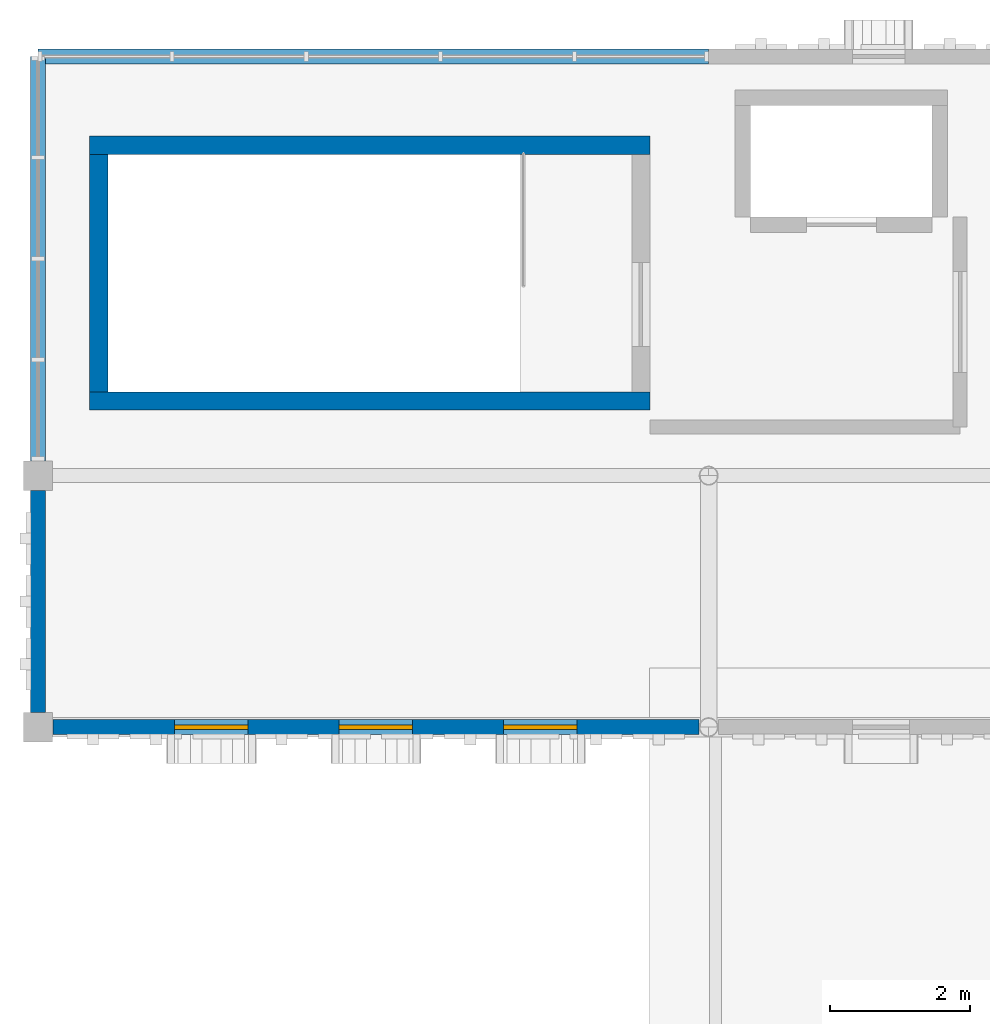
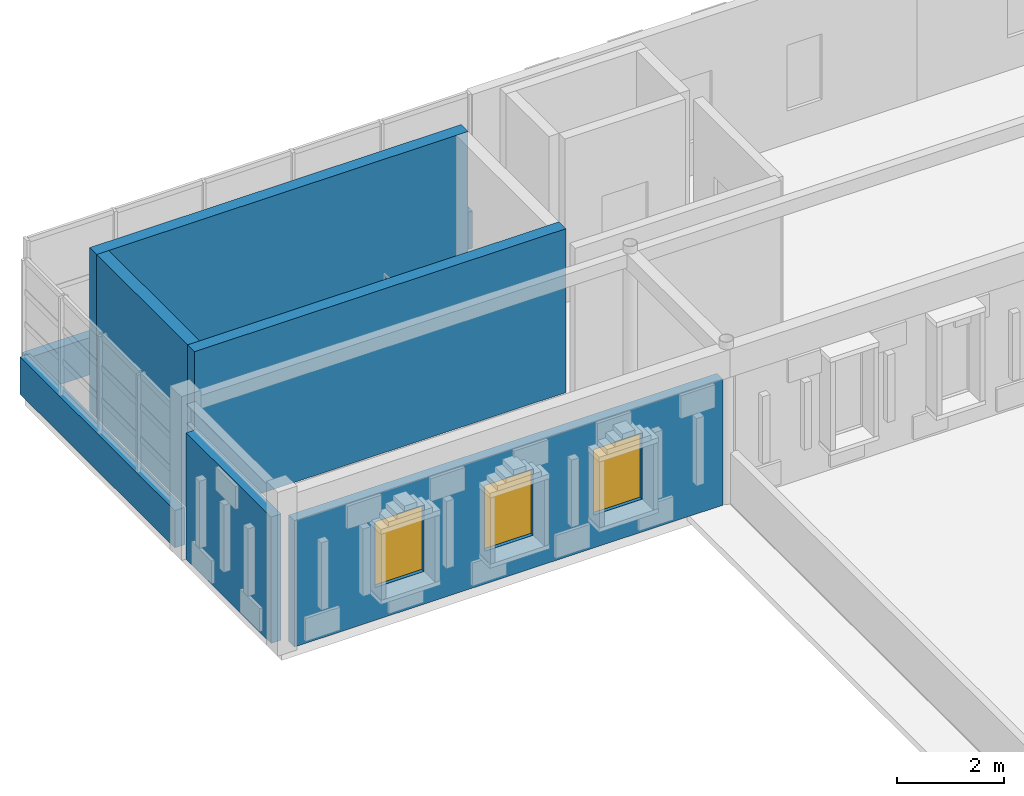
# One storey, part 15 of 25: 7 walls, 3 windows, 3 openings.
"""IFC4 building model written with IfcOpenShell, lengths in metres."""

import ifcopenshell
import ifcopenshell.guid

model = None  # the IFC model being written
_history = None  # IfcOwnerHistory: only IFC2X3 demands one
_inside = {}  # id of a spatial element -> (the spatial element, [elements in it])
_under = {}  # id of a project, library or spatial element -> (it, [spatial elements below it])
_declared = {}  # id of a project -> (the project, [libraries it declares])
_typed = {}  # id of a type object -> (the type object, [elements of that type])
_made_of = {}  # id of a material, layer set ... -> (it, [elements and type objects made of it])


def new_model(schema):
    """Start an empty IFC model of exactly this schema.

    Asked for "IFC4X3", IfcOpenShell would pick the latest addendum, in which some entities
    have other attributes; the version numbers below select the first issue.
    IFC2X3 requires an IfcOwnerHistory on every rooted entity: one is made here for all.
    """
    global model, _history
    if schema == "IFC4X3":
        model = ifcopenshell.file(schema_version=(4, 3, 0, 0))
    else:
        model = ifcopenshell.file(schema=schema)
    _inside.clear()
    _under.clear()
    _declared.clear()
    _typed.clear()
    _made_of.clear()
    _history = None
    if model.schema == "IFC2X3":
        org = make("IfcOrganization", Name="unknown")
        user = make(
            "IfcPersonAndOrganization",
            ThePerson=make("IfcPerson", FamilyName="unknown"),
            TheOrganization=org,
        )
        app = make(
            "IfcApplication",
            ApplicationDeveloper=org,
            Version="unknown",
            ApplicationFullName="unknown",
            ApplicationIdentifier="unknown",
        )
        _history = make(
            "IfcOwnerHistory",
            OwningUser=user,
            OwningApplication=app,
            ChangeAction="ADDED",
            CreationDate=0,
        )
    return model


def make(cls, **values):
    """One entity of the class cls with the attributes given. An attribute that is None is left unset."""
    return model.create_entity(
        cls, **{name: value for name, value in values.items() if value is not None}
    )


def rooted(cls, **values):
    """An entity with a GlobalId (a new one), such as an element, a storey or a relation."""
    return make(cls, GlobalId=ifcopenshell.guid.new(), OwnerHistory=_history, **values)


def si_unit(unit_type, name, prefix=None):
    """IfcSIUnit, for example si_unit("LENGTHUNIT", "METRE", prefix="MILLI")."""
    return make("IfcSIUnit", UnitType=unit_type, Prefix=prefix, Name=name)


def assignment(units):
    """IfcUnitAssignment: the units of a project."""
    return None if units is None else make("IfcUnitAssignment", Units=units)


def point(xyz):
    """IfcCartesianPoint."""
    return None if xyz is None else make("IfcCartesianPoint", Coordinates=xyz)


def direction(xyz):
    """IfcDirection."""
    return None if xyz is None else make("IfcDirection", DirectionRatios=xyz)


def frame(location, z_axis=None, x_axis=None):
    """IfcAxis2Placement3D, a coordinate frame: its origin and axes. An axis left out is left unset."""
    return make(
        "IfcAxis2Placement3D",
        Location=point(location),
        Axis=direction(z_axis),
        RefDirection=direction(x_axis),
    )


def frame_2d(location, x_axis=None):
    """IfcAxis2Placement2D, a coordinate frame in the plane: its origin and x axis."""
    return make(
        "IfcAxis2Placement2D", Location=point(location), RefDirection=direction(x_axis)
    )


def origin():
    """The frame at (0, 0, 0) with its axes left unset."""
    return frame((0.0, 0.0, 0.0))


def place(relative_to, where):
    """IfcLocalPlacement: puts the frame where relative to a parent placement (None: the world)."""
    return make(
        "IfcLocalPlacement", PlacementRelTo=relative_to, RelativePlacement=where
    )


def context(
    kind, dimensions, precision=None, world=None, true_north=None, identifier=None
):
    """IfcGeometricRepresentationContext, for example the 3D "Model" context."""
    return make(
        "IfcGeometricRepresentationContext",
        ContextIdentifier=identifier,
        ContextType=kind,
        CoordinateSpaceDimension=dimensions,
        Precision=precision,
        WorldCoordinateSystem=world,
        TrueNorth=true_north,
    )


def subcontext(parent, identifier, kind, view, scale=None):
    """IfcGeometricRepresentationSubContext, for example "Body" below "Model"."""
    return make(
        "IfcGeometricRepresentationSubContext",
        ContextIdentifier=identifier,
        ContextType=kind,
        ParentContext=parent,
        TargetScale=scale,
        TargetView=view,
    )


def project(units=None, contexts=None):
    """IfcProject with its units and contexts."""
    return rooted(
        "IfcProject",
        Name="project",
        RepresentationContexts=contexts,
        UnitsInContext=assignment(units),
    )


def spatial(cls, under=None, at=None, **own):
    """A site, building, storey or space (cls), placed at a placement, below another one or the project."""
    s = rooted(cls, ObjectPlacement=at, **own)
    if under is not None:
        _under.setdefault(under.id(), (under, []))[1].append(s)
    return s


def profile(cls, at=None, kind="AREA", **sizes):
    """A parametric profile (cls). Its sizes go by their IFC names, for example OverallWidth=200.0."""
    return make(cls, ProfileType=kind, Position=at, **sizes)


def rectangle(**sizes):
    """IfcRectangleProfileDef."""
    return profile("IfcRectangleProfileDef", **sizes)


def extrude(swept, where, along, depth):
    """IfcExtrudedAreaSolid: the profile swept, set in the frame where, extruded along a direction by depth."""
    return make(
        "IfcExtrudedAreaSolid",
        SweptArea=swept,
        Position=where,
        ExtrudedDirection=direction(along),
        Depth=depth,
    )


def shape(context_of_items, identifier, shape_type, items):
    """IfcShapeRepresentation: the items that make up one representation, for example the "Body"."""
    return make(
        "IfcShapeRepresentation",
        ContextOfItems=context_of_items,
        RepresentationIdentifier=identifier,
        RepresentationType=shape_type,
        Items=items,
    )


def material(Name=None, Category=None):
    """IfcMaterial."""
    return make("IfcMaterial", Name=Name, Category=Category)


def layer(
    of_material, thickness, ventilated=None, Name=None, Category=None, Priority=None
):
    """IfcMaterialLayer: one layer of a wall or slab, of a material (None: an air gap)."""
    return make(
        "IfcMaterialLayer",
        Material=of_material,
        LayerThickness=thickness,
        IsVentilated=ventilated,
        Name=Name,
        Category=Category,
        Priority=Priority,
    )


def layer_set(layers, Name=None):
    """IfcMaterialLayerSet."""
    return make("IfcMaterialLayerSet", MaterialLayers=layers, LayerSetName=Name)


def made_of(thing, what):
    """Note that an element or type object is made of a material, layer set ...; save() writes the relation."""
    if what is not None:
        _made_of.setdefault(what.id(), (what, []))[1].append(thing)
    return thing


def type_object(cls, material=None, **own):
    """A type object (cls), such as IfcWallType, which elements share."""
    return made_of(rooted(cls, **own), material)


def element(
    cls,
    number,
    at=None,
    inside=None,
    cuts=None,
    type_object=None,
    material=None,
    context=None,
    identifier="Body",
    shape_type=None,
    held_by="IfcProductDefinitionShape",
    body=None,
    shapes=None,
    **own,
):
    """One element of the class cls, such as IfcWall. Its Tag is "e" and its number.

    at: its placement. inside: the storey or other place that contains it. cuts: it is an
    opening in that element (IfcRelVoidsElement). A single representation is given by context,
    identifier, shape_type and body (its items); several are given by shapes. held_by: the class
    of the entity that holds the representations. save() writes the other relations.
    """
    e = rooted(cls, Tag="e%d" % number, ObjectPlacement=at, **own)
    if body is not None:
        shapes = [shape(context, identifier, shape_type, body)]
    if shapes is not None:
        e.Representation = make(held_by, Representations=shapes)
    if inside is not None:
        _inside.setdefault(inside.id(), (inside, []))[1].append(e)
    if cuts is not None:
        rooted(
            "IfcRelVoidsElement", RelatingBuildingElement=cuts, RelatedOpeningElement=e
        )
    if type_object is not None:
        _typed.setdefault(type_object.id(), (type_object, []))[1].append(e)
    return made_of(e, material)


def fill(opening, filler):
    """IfcRelFillsElement: the door or window that sits in an opening."""
    return rooted(
        "IfcRelFillsElement",
        RelatingOpeningElement=opening,
        RelatedBuildingElement=filler,
    )


def aggregate(whole, parts):
    """IfcRelAggregates: a whole, such as a stair, and the parts it consists of."""
    return rooted("IfcRelAggregates", RelatingObject=whole, RelatedObjects=parts)


def save(model, path):
    """Write the relations noted so far, then the file.

    IfcRelAggregates (storeys below a building ...), IfcRelContainedInSpatialStructure (elements
    in a storey), IfcRelDefinesByType, IfcRelAssociatesMaterial and IfcRelDeclares: one each for
    every whole, place, type object, material and project.
    """
    for whole, parts in _under.values():
        aggregate(whole, parts)
    for where, things in _inside.values():
        rooted(
            "IfcRelContainedInSpatialStructure",
            RelatedElements=things,
            RelatingStructure=where,
        )
    for kind, things in _typed.values():
        rooted("IfcRelDefinesByType", RelatedObjects=things, RelatingType=kind)
    for what, things in _made_of.values():
        rooted("IfcRelAssociatesMaterial", RelatedObjects=things, RelatingMaterial=what)
    for by, libraries in _declared.values():
        rooted("IfcRelDeclares", RelatingContext=by, RelatedDefinitions=libraries)
    model.write(path)


model = new_model("IFC4")

# Units and contexts
model_context = context("Model", 3, precision=1e-05, world=origin(), true_north=direction((0.0, 1.0)))
body_context = subcontext(model_context, "Body", "Model", "MODEL_VIEW")
ifc_project = project(units=[si_unit("LENGTHUNIT", "METRE"), si_unit("AREAUNIT", "SQUARE_METRE"), si_unit("VOLUMEUNIT", "CUBIC_METRE"), si_unit("PLANEANGLEUNIT", "RADIAN"), si_unit("MASSUNIT", "GRAM", prefix="KILO")], contexts=[model_context])

# Site, building, storey
site_placement = place(None, origin())
site = spatial("IfcSite", under=ifc_project, at=site_placement, CompositionType="ELEMENT")
building_placement = place(site_placement, origin())
building = spatial("IfcBuilding", under=site, at=building_placement, Name="Nzembalo Square Collegiate School", CompositionType="ELEMENT")
storey_placement = place(building_placement, frame((0.0, 0.0, 21.080078125)))
storey = spatial("IfcBuildingStorey", under=building, at=storey_placement, Name="L05", CompositionType="ELEMENT", Elevation=21.080078125)

# Walls
ifc_material_1 = material(Name="Concrete C35/45", Category="concrete")
ifc_layer_1 = layer(ifc_material_1, 0.260009765625, Name="Concrete C35/45")
ifc_layer_set_1 = layer_set([ifc_layer_1], Name="Concrete C35/45")
wall_type_1 = type_object("IfcWallType", Name="SW04", PredefinedType="SHEAR", material=ifc_layer_set_1)
wall_1_placement = place(storey_placement, frame((131.669921875, 84.0, 0.0), z_axis=(0.0, 0.0, 1.0), x_axis=(0.0, 1.0, 0.0)))
element("IfcWall", 1, at=wall_1_placement, inside=storey, type_object=wall_type_1, Name="Core C4 stair shear wall W L05", PredefinedType="SHEAR", context=body_context, shape_type="SweptSolid", body=[
    extrude(rectangle(XDim=3.39990234375, YDim=0.260009765625, at=frame_2d((1.699951171875, 0.0))), origin(), (0.0, 0.0, 1.0), 3.739990234375),
])
for number, where, z_axis, x_axis, name in (
    (2, (131.5400390625, 83.8701171875, 0.0), (0.0, 0.0, 1.0), (1.0, 0.0, 0.0), "Core C4 stair shear wall S L05"),
    (3, (131.5400390625, 87.530029296875, 0.0), (0.0, 0.0, 1.0), (1.0, 0.0, 0.0), "Core C4 stair shear wall N L05"),
):
    element("IfcWall", number, at=place(storey_placement, frame(where, z_axis=z_axis, x_axis=x_axis)), inside=storey, type_object=wall_type_1, Name=name, PredefinedType="SHEAR", context=body_context, shape_type="SweptSolid", body=[
        extrude(rectangle(XDim=8.02001953125, YDim=0.260009765625, at=frame_2d((4.010009765625, 0.0))), origin(), (0.0, 0.0, 1.0), 3.739990234375),
    ])
ifc_material_2 = material(Name="CLT CL24", Category="wood")
ifc_layer_2 = layer(ifc_material_2, 0.215087890625, Name="CLT CL24")
ifc_layer_set_2 = layer_set([ifc_layer_2], Name="CLT CL24")
wall_type_2 = type_object("IfcWallType", Name="W08", PredefinedType="SOLIDWALL", material=ifc_layer_set_2)
wall_2_placement = place(storey_placement, frame((130.800048828125, 79.412109375, 0.0), z_axis=(0.0, 0.0, 1.0), x_axis=(0.0, 1.0, 0.0)))
element("IfcWall", 4, at=wall_2_placement, inside=storey, type_object=wall_type_2, Name="Exterior wall W08 L05", PredefinedType="SOLIDWALL", context=body_context, shape_type="SweptSolid", body=[
    extrude(rectangle(XDim=3.17578125, YDim=0.215087890625, at=frame_2d((1.587890625, 0.0))), origin(), (0.0, 0.0, 1.0), 2.884033203125),
])
wall_3_placement = place(storey_placement, frame((130.800048828125, 83.011962890625, 0.0), z_axis=(0.0, 0.0, 1.0), x_axis=(0.0, 1.0, 0.0)))
element("IfcWall", 5, at=wall_3_placement, inside=storey, type_object=wall_type_2, Name="Spandrel wall W08 L05", PredefinedType="SOLIDWALL", context=body_context, shape_type="SweptSolid", body=[
    extrude(rectangle(XDim=5.7880859375, YDim=0.215087890625, at=frame_2d((2.89404296875, 0.0))), origin(), (0.0, 0.0, 1.0), 0.849853515625),
])
wall_4_placement = place(storey_placement, frame((130.800048828125, 88.800048828125, 0.0), z_axis=(0.0, 0.0, 1.0), x_axis=(1.0, 0.0, 0.0)))
element("IfcWall", 6, at=wall_4_placement, inside=storey, type_object=wall_type_2, Name="Spandrel wall W08 L05", PredefinedType="SOLIDWALL", context=body_context, shape_type="SweptSolid", body=[
    extrude(rectangle(XDim=9.599853515625, YDim=0.215087890625, at=frame_2d((4.7998046875, 0.0))), origin(), (0.0, 0.0, 1.0), 0.849853515625),
])

# Wall, openings, windows
wall_5_placement = place(storey_placement, frame((131.011962890625, 79.199951171875, 0.0), z_axis=(0.0, 0.0, 1.0), x_axis=(1.0, 0.0, 0.0)))
wall_5 = element("IfcWall", 7, at=wall_5_placement, inside=storey, type_object=wall_type_2, Name="Exterior wall W08 L05", PredefinedType="SOLIDWALL", context=body_context, shape_type="SweptSolid", body=[
    extrude(rectangle(XDim=9.24951171875, YDim=0.215087890625, at=frame_2d((4.624755859375, 0.0))), origin(), (0.0, 0.0, 1.0), 2.884033203125),
])
opening_1_placement = place(wall_5_placement, frame((1.744873046875, 0.0, 0.75)))
opening_1 = element("IfcOpeningElement", 8, at=opening_1_placement, cuts=wall_5, Name="Opening WN-L05-1124", PredefinedType="OPENING", context=body_context, shape_type="SweptSolid", body=[
    extrude(rectangle(XDim=1.050048828125, YDim=1.5, at=frame_2d((0.52490234375, 0.75))), frame((0.0, 0.11767578125, 0.0), z_axis=(0.0, -1.0, 0.0), x_axis=(1.0, 0.0, 0.0)), (0.0, 0.0, 1.0), 0.235107421875),
])
opening_2_placement = place(wall_5_placement, frame((4.099609375, 0.0, 0.75)))
opening_2 = element("IfcOpeningElement", 9, at=opening_2_placement, cuts=wall_5, Name="Opening WN-L05-1125", PredefinedType="OPENING", context=body_context, shape_type="SweptSolid", body=[
    extrude(rectangle(XDim=1.050048828125, YDim=1.5, at=frame_2d((0.52490234375, 0.75))), frame((0.0, 0.11767578125, 0.0), z_axis=(0.0, -1.0, 0.0), x_axis=(1.0, 0.0, 0.0)), (0.0, 0.0, 1.0), 0.235107421875),
])
opening_3_placement = place(wall_5_placement, frame((6.45458984375, 0.0, 0.75)))
opening_3 = element("IfcOpeningElement", 10, at=opening_3_placement, cuts=wall_5, Name="Opening WN-L05-1126", PredefinedType="OPENING", context=body_context, shape_type="SweptSolid", body=[
    extrude(rectangle(XDim=1.050048828125, YDim=1.5, at=frame_2d((0.52490234375, 0.75))), frame((0.0, 0.11767578125, 0.0), z_axis=(0.0, -1.0, 0.0), x_axis=(1.0, 0.0, 0.0)), (0.0, 0.0, 1.0), 0.235107421875),
])
ifc_material_3 = material(Name="Powder-coated aluminium and low-E double glazing", Category="aluminium")
window_type = type_object("IfcWindowType", Name="WN15", PartitioningType="SINGLE_PANEL", PredefinedType="WINDOW", material=ifc_material_3)
window_1_placement = place(opening_1_placement, origin())
window_1 = element("IfcWindow", 11, at=window_1_placement, inside=storey, type_object=window_type, Name="Lancet window WN-L05-1124", OverallHeight=1.5, OverallWidth=1.050048828125, PartitioningType="SINGLE_PANEL", PredefinedType="WINDOW", context=body_context, shape_type="SweptSolid", body=[
    extrude(rectangle(XDim=1.050048828125, YDim=1.5, at=frame_2d((0.52490234375, 0.75))), frame((0.0, 0.030029296875, 0.0), z_axis=(0.0, -1.0, 0.0), x_axis=(1.0, 0.0, 0.0)), (0.0, 0.0, 1.0), 0.06005859375),
])
fill(opening_1, window_1)
window_2_placement = place(opening_2_placement, origin())
window_2 = element("IfcWindow", 12, at=window_2_placement, inside=storey, type_object=window_type, Name="Lancet window WN-L05-1125", OverallHeight=1.5, OverallWidth=1.050048828125, PartitioningType="SINGLE_PANEL", PredefinedType="WINDOW", context=body_context, shape_type="SweptSolid", body=[
    extrude(rectangle(XDim=1.050048828125, YDim=1.5, at=frame_2d((0.52490234375, 0.75))), frame((0.0, 0.030029296875, 0.0), z_axis=(0.0, -1.0, 0.0), x_axis=(1.0, 0.0, 0.0)), (0.0, 0.0, 1.0), 0.06005859375),
])
fill(opening_2, window_2)
window_3_placement = place(opening_3_placement, origin())
window_3 = element("IfcWindow", 13, at=window_3_placement, inside=storey, type_object=window_type, Name="Lancet window WN-L05-1126", OverallHeight=1.5, OverallWidth=1.050048828125, PartitioningType="SINGLE_PANEL", PredefinedType="WINDOW", context=body_context, shape_type="SweptSolid", body=[
    extrude(rectangle(XDim=1.050048828125, YDim=1.5, at=frame_2d((0.52490234375, 0.75))), frame((0.0, 0.030029296875, 0.0), z_axis=(0.0, -1.0, 0.0), x_axis=(1.0, 0.0, 0.0)), (0.0, 0.0, 1.0), 0.06005859375),
])
fill(opening_3, window_3)

save(model, "model.ifc")
